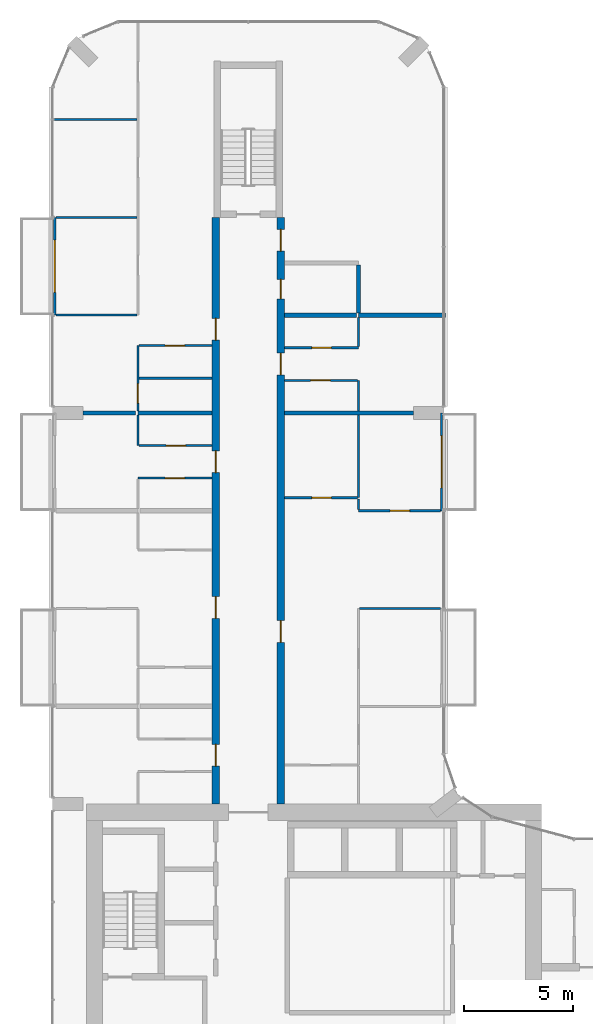
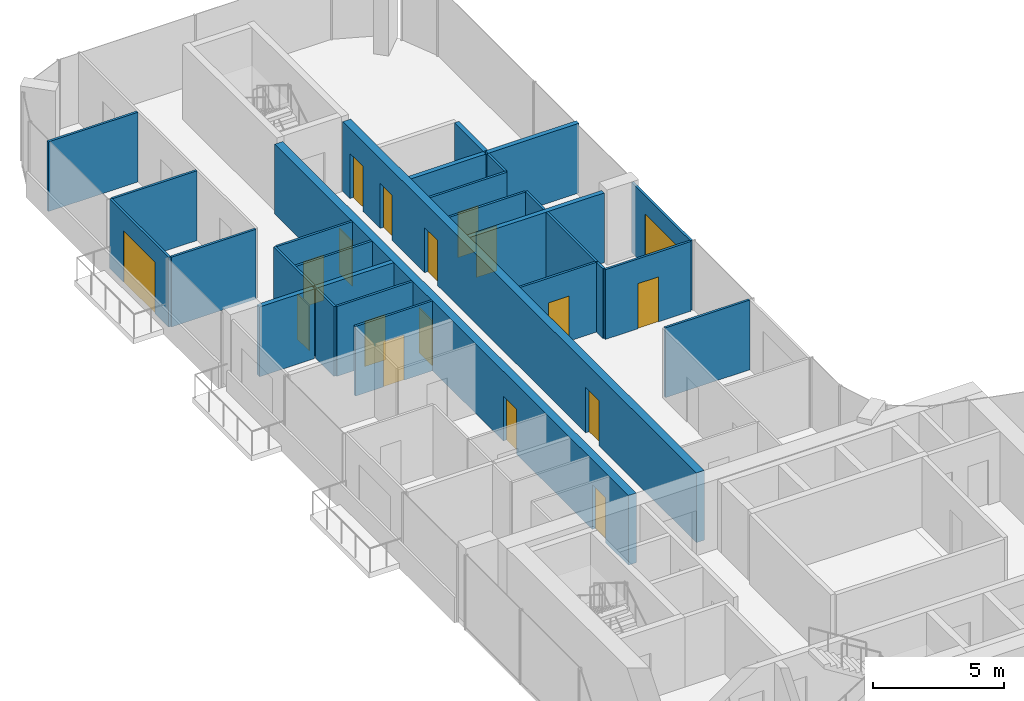
# One storey, part 16 of 23: 28 walls, 18 doors, 18 openings.
"""IFC4 building model written with IfcOpenShell, lengths in metres."""

from ifc_helpers import new_model, si_unit, direction, frame, frame_2d, origin, place, context, subcontext, project, spatial, rectangle, extrude, material, layer, layer_set, type_object, element, fill, save


model = new_model("IFC4")

# Units and contexts
model_context = context("Model", 3, precision=1e-05, world=origin(), true_north=direction((0.0, 1.0)))
body_context = subcontext(model_context, "Body", "Model", "MODEL_VIEW")
ifc_project = project(units=[si_unit("LENGTHUNIT", "METRE"), si_unit("AREAUNIT", "SQUARE_METRE"), si_unit("VOLUMEUNIT", "CUBIC_METRE"), si_unit("PLANEANGLEUNIT", "RADIAN"), si_unit("MASSUNIT", "GRAM", prefix="KILO")], contexts=[model_context])

# Site, building, storey
site_placement = place(None, origin())
site = spatial("IfcSite", under=ifc_project, at=site_placement, CompositionType="ELEMENT")
building_placement = place(site_placement, origin())
building = spatial("IfcBuilding", under=site, at=building_placement, Name="Plateau Cross Towers", CompositionType="ELEMENT")
storey_placement = place(building_placement, frame((0.0, 0.0, 37.300048828125)))
storey = spatial("IfcBuildingStorey", under=building, at=storey_placement, Name="L08", CompositionType="ELEMENT", Elevation=37.300048828125)

# Wall, opening, door
ifc_material_1 = material(Name="Aluminium framed glazing", Category="aluminium")
ifc_layer_1 = layer(ifc_material_1, 0.10009765625)
ifc_layer_set_1 = layer_set([ifc_layer_1], Name="Aluminium framed glazing")
wall_type_1 = type_object("IfcWallType", Name="Balcony screen wall 100", PredefinedType="STANDARD", material=ifc_layer_set_1)
wall_1_placement = place(storey_placement, frame((0.10009765625, 40.5, 0.0), z_axis=(0.0, 0.0, 1.0), x_axis=(0.0, 1.0, 0.0)))
wall_1 = element("IfcWall", 1, at=wall_1_placement, inside=storey, type_object=wall_type_1, Name="Balcony screen wall A-BAL-L08-03", PredefinedType="STANDARD", context=body_context, shape_type="SweptSolid", body=[
    extrude(rectangle(XDim=4.5, YDim=0.10009765625, at=frame_2d((2.25, 0.0))), origin(), (0.0, 0.0, 1.0), 3.25),
])
opening_1_placement = place(wall_1_placement, frame((1.050048828125, 0.0, 0.0)))
opening_1 = element("IfcOpeningElement", 2, at=opening_1_placement, cuts=wall_1, Name="Opening D-B24", PredefinedType="OPENING", context=body_context, shape_type="SweptSolid", body=[
    extrude(rectangle(XDim=2.39990234375, YDim=2.39990234375, at=frame_2d((1.199951171875, 1.199951171875))), frame((0.0, 0.06005859375, 0.0), z_axis=(0.0, -1.0, 0.0), x_axis=(1.0, 0.0, 0.0)), (0.0, 0.0, 1.0), 0.1201171875),
])
ifc_material_2 = material(Name="Aluminium frame, double glazing", Category="aluminium")
door_type_1 = type_object("IfcDoorType", Name="Balcony sliding door 2400", OperationType="NOTDEFINED", PredefinedType="DOOR", material=ifc_material_2)
door_1_placement = place(opening_1_placement, origin())
door_1 = element("IfcDoor", 3, at=door_1_placement, inside=storey, type_object=door_type_1, Name="Balcony door A-BAL-L08-03", OperationType="SINGLE_SWING_LEFT", OverallHeight=2.39990234375, OverallWidth=2.39990234375, PredefinedType="DOOR", context=body_context, shape_type="SweptSolid", body=[
    extrude(rectangle(XDim=2.39990234375, YDim=2.39990234375, at=frame_2d((1.199951171875, 1.199951171875))), frame((0.0, 0.02490234375, 0.0), z_axis=(0.0, -1.0, 0.0), x_axis=(1.0, 0.0, 0.0)), (0.0, 0.0, 1.0), 0.050048828125),
])
fill(opening_1, door_1)

wall_2_placement = place(storey_placement, frame((17.89990234375, 36.0, 0.0), z_axis=(0.0, 0.0, 1.0), x_axis=(0.0, -1.0, 0.0)))
wall_2 = element("IfcWall", 4, at=wall_2_placement, inside=storey, type_object=wall_type_1, Name="Balcony screen wall A-BAL-L08-05", PredefinedType="STANDARD", context=body_context, shape_type="SweptSolid", body=[
    extrude(rectangle(XDim=4.5, YDim=0.10009765625, at=frame_2d((2.25, 0.0))), origin(), (0.0, 0.0, 1.0), 3.25),
])
opening_2_placement = place(wall_2_placement, frame((1.050048828125, 0.0, 0.0)))
opening_2 = element("IfcOpeningElement", 5, at=opening_2_placement, cuts=wall_2, Name="Opening D-B24", PredefinedType="OPENING", context=body_context, shape_type="SweptSolid", body=[
    extrude(rectangle(XDim=2.39990234375, YDim=2.39990234375, at=frame_2d((1.199951171875, 1.199951171875))), frame((0.0, 0.06005859375, 0.0), z_axis=(0.0, -1.0, 0.0), x_axis=(1.0, 0.0, 0.0)), (0.0, 0.0, 1.0), 0.1201171875),
])
door_2_placement = place(opening_2_placement, origin())
door_2 = element("IfcDoor", 6, at=door_2_placement, inside=storey, type_object=door_type_1, Name="Balcony door A-BAL-L08-05", OperationType="SINGLE_SWING_LEFT", OverallHeight=2.39990234375, OverallWidth=2.39990234375, PredefinedType="DOOR", context=body_context, shape_type="SweptSolid", body=[
    extrude(rectangle(XDim=2.39990234375, YDim=2.39990234375, at=frame_2d((1.199951171875, 1.199951171875))), frame((0.0, 0.02490234375, 0.0), z_axis=(0.0, -1.0, 0.0), x_axis=(1.0, 0.0, 0.0)), (0.0, 0.0, 1.0), 0.050048828125),
])
fill(opening_2, door_2)

# Wall, openings, doors
ifc_material_3 = material(Name="Concrete C60/75", Category="concrete")
ifc_layer_2 = layer(ifc_material_3, 0.35009765625)
ifc_layer_set_2 = layer_set([ifc_layer_2], Name="Concrete C60/75")
wall_type_2 = type_object("IfcWallType", Name="Corridor wall 350", PredefinedType="SHEAR", material=ifc_layer_set_2)
wall_3_placement = place(storey_placement, frame((7.5, 18.0, 0.0), z_axis=(0.0, 0.0, 1.0), x_axis=(0.0, 1.0, 0.0)))
wall_3 = element("IfcWall", 7, at=wall_3_placement, inside=storey, type_object=wall_type_2, Name="A-cw-W1@L08", PredefinedType="SHEAR", context=body_context, shape_type="SweptSolid", body=[
    extrude(rectangle(XDim=27.0, YDim=0.35009765625, at=frame_2d((13.5, 0.0))), origin(), (0.0, 0.0, 1.0), 3.25),
])
opening_3_placement = place(wall_3_placement, frame((1.75, 0.0, 0.0)))
opening_3 = element("IfcOpeningElement", 8, at=opening_3_placement, cuts=wall_3, Name="Opening 08-09", PredefinedType="OPENING", context=body_context, shape_type="SweptSolid", body=[
    extrude(rectangle(XDim=1.0, YDim=2.10009765625, at=frame_2d((0.5, 1.050048828125))), frame((0.0, 0.18505859375, 0.0), z_axis=(0.0, -1.0, 0.0), x_axis=(1.0, 0.0, 0.0)), (0.0, 0.0, 1.0), 0.3701171875),
])
opening_4_placement = place(wall_3_placement, frame((8.550048828125, 0.0, 0.0)))
opening_4 = element("IfcOpeningElement", 9, at=opening_4_placement, cuts=wall_3, Name="Opening 08-10", PredefinedType="OPENING", context=body_context, shape_type="SweptSolid", body=[
    extrude(rectangle(XDim=1.0, YDim=2.10009765625, at=frame_2d((0.5, 1.050048828125))), frame((0.0, 0.18505859375, 0.0), z_axis=(0.0, -1.0, 0.0), x_axis=(1.0, 0.0, 0.0)), (0.0, 0.0, 1.0), 0.3701171875),
])
opening_5_placement = place(wall_3_placement, frame((15.25, 0.0, 0.0)))
opening_5 = element("IfcOpeningElement", 10, at=opening_5_placement, cuts=wall_3, Name="Opening 08-11", PredefinedType="OPENING", context=body_context, shape_type="SweptSolid", body=[
    extrude(rectangle(XDim=1.0, YDim=2.10009765625, at=frame_2d((0.5, 1.050048828125))), frame((0.0, 0.18505859375, 0.0), z_axis=(0.0, -1.0, 0.0), x_axis=(1.0, 0.0, 0.0)), (0.0, 0.0, 1.0), 0.3701171875),
])
opening_6_placement = place(wall_3_placement, frame((21.35009765625, 0.0, 0.0)))
opening_6 = element("IfcOpeningElement", 11, at=opening_6_placement, cuts=wall_3, Name="Opening 08-12", PredefinedType="OPENING", context=body_context, shape_type="SweptSolid", body=[
    extrude(rectangle(XDim=1.0, YDim=2.10009765625, at=frame_2d((0.5, 1.050048828125))), frame((0.0, 0.18505859375, 0.0), z_axis=(0.0, -1.0, 0.0), x_axis=(1.0, 0.0, 0.0)), (0.0, 0.0, 1.0), 0.3701171875),
])
ifc_material_4 = material(Name="Timber, fire-resisting leaf", Category="wood")
door_type_2 = type_object("IfcDoorType", Name="Flat entrance door 1000", OperationType="NOTDEFINED", PredefinedType="DOOR", material=ifc_material_4)
door_3_placement = place(opening_3_placement, origin())
door_3 = element("IfcDoor", 12, at=door_3_placement, inside=storey, type_object=door_type_2, Name="Door 08-09", OperationType="SINGLE_SWING_LEFT", OverallHeight=2.10009765625, OverallWidth=1.0, PredefinedType="DOOR", context=body_context, shape_type="SweptSolid", body=[
    extrude(rectangle(XDim=1.0, YDim=2.10009765625, at=frame_2d((0.5, 1.050048828125))), frame((0.0, 0.02490234375, 0.0), z_axis=(0.0, -1.0, 0.0), x_axis=(1.0, 0.0, 0.0)), (0.0, 0.0, 1.0), 0.050048828125),
])
fill(opening_3, door_3)
door_4_placement = place(opening_4_placement, origin())
door_4 = element("IfcDoor", 13, at=door_4_placement, inside=storey, type_object=door_type_2, Name="Door 08-10", OperationType="SINGLE_SWING_LEFT", OverallHeight=2.10009765625, OverallWidth=1.0, PredefinedType="DOOR", context=body_context, shape_type="SweptSolid", body=[
    extrude(rectangle(XDim=1.0, YDim=2.10009765625, at=frame_2d((0.5, 1.050048828125))), frame((0.0, 0.02490234375, 0.0), z_axis=(0.0, -1.0, 0.0), x_axis=(1.0, 0.0, 0.0)), (0.0, 0.0, 1.0), 0.050048828125),
])
fill(opening_4, door_4)
door_5_placement = place(opening_5_placement, origin())
door_5 = element("IfcDoor", 14, at=door_5_placement, inside=storey, type_object=door_type_2, Name="Door 08-11", OperationType="SINGLE_SWING_RIGHT", OverallHeight=2.10009765625, OverallWidth=1.0, PredefinedType="DOOR", context=body_context, shape_type="SweptSolid", body=[
    extrude(rectangle(XDim=1.0, YDim=2.10009765625, at=frame_2d((0.5, 1.050048828125))), frame((0.0, 0.02490234375, 0.0), z_axis=(0.0, -1.0, 0.0), x_axis=(1.0, 0.0, 0.0)), (0.0, 0.0, 1.0), 0.050048828125),
])
fill(opening_5, door_5)
door_6_placement = place(opening_6_placement, origin())
door_6 = element("IfcDoor", 15, at=door_6_placement, inside=storey, type_object=door_type_2, Name="Door 08-12", OperationType="SINGLE_SWING_RIGHT", OverallHeight=2.10009765625, OverallWidth=1.0, PredefinedType="DOOR", context=body_context, shape_type="SweptSolid", body=[
    extrude(rectangle(XDim=1.0, YDim=2.10009765625, at=frame_2d((0.5, 1.050048828125))), frame((0.0, 0.02490234375, 0.0), z_axis=(0.0, -1.0, 0.0), x_axis=(1.0, 0.0, 0.0)), (0.0, 0.0, 1.0), 0.050048828125),
])
fill(opening_6, door_6)

wall_4_placement = place(storey_placement, frame((10.5, 18.0, 0.0), z_axis=(0.0, 0.0, 1.0), x_axis=(0.0, 1.0, 0.0)))
wall_4 = element("IfcWall", 16, at=wall_4_placement, inside=storey, type_object=wall_type_2, Name="A-cw-W2@L08", PredefinedType="SHEAR", context=body_context, shape_type="SweptSolid", body=[
    extrude(rectangle(XDim=27.0, YDim=0.35009765625, at=frame_2d((13.5, 0.0))), origin(), (0.0, 0.0, 1.0), 3.25),
])
opening_7_placement = place(wall_4_placement, frame((7.449951171875, 0.0, 0.0)))
opening_7 = element("IfcOpeningElement", 17, at=opening_7_placement, cuts=wall_4, Name="Opening 08-13", PredefinedType="OPENING", context=body_context, shape_type="SweptSolid", body=[
    extrude(rectangle(XDim=1.0, YDim=2.10009765625, at=frame_2d((0.5, 1.050048828125))), frame((0.0, 0.18505859375, 0.0), z_axis=(0.0, -1.0, 0.0), x_axis=(1.0, 0.0, 0.0)), (0.0, 0.0, 1.0), 0.3701171875),
])
opening_8_placement = place(wall_4_placement, frame((19.75, 0.0, 0.0)))
opening_8 = element("IfcOpeningElement", 18, at=opening_8_placement, cuts=wall_4, Name="Opening 08-14", PredefinedType="OPENING", context=body_context, shape_type="SweptSolid", body=[
    extrude(rectangle(XDim=1.0, YDim=2.10009765625, at=frame_2d((0.5, 1.050048828125))), frame((0.0, 0.18505859375, 0.0), z_axis=(0.0, -1.0, 0.0), x_axis=(1.0, 0.0, 0.0)), (0.0, 0.0, 1.0), 0.3701171875),
])
opening_9_placement = place(wall_4_placement, frame((23.25, 0.0, 0.0)))
opening_9 = element("IfcOpeningElement", 19, at=opening_9_placement, cuts=wall_4, Name="Opening 08-15", PredefinedType="OPENING", context=body_context, shape_type="SweptSolid", body=[
    extrude(rectangle(XDim=0.89990234375, YDim=2.10009765625, at=frame_2d((0.449951171875, 1.050048828125))), frame((0.0, 0.18505859375, 0.0), z_axis=(0.0, -1.0, 0.0), x_axis=(1.0, 0.0, 0.0)), (0.0, 0.0, 1.0), 0.3701171875),
])
opening_10_placement = place(wall_4_placement, frame((25.449951171875, 0.0, 0.0)))
opening_10 = element("IfcOpeningElement", 20, at=opening_10_placement, cuts=wall_4, Name="Opening 08-16", PredefinedType="OPENING", context=body_context, shape_type="SweptSolid", body=[
    extrude(rectangle(XDim=1.0, YDim=2.10009765625, at=frame_2d((0.5, 1.050048828125))), frame((0.0, 0.18505859375, 0.0), z_axis=(0.0, -1.0, 0.0), x_axis=(1.0, 0.0, 0.0)), (0.0, 0.0, 1.0), 0.3701171875),
])
door_7_placement = place(opening_7_placement, origin())
door_7 = element("IfcDoor", 21, at=door_7_placement, inside=storey, type_object=door_type_2, Name="Door 08-13", OperationType="SINGLE_SWING_LEFT", OverallHeight=2.10009765625, OverallWidth=1.0, PredefinedType="DOOR", context=body_context, shape_type="SweptSolid", body=[
    extrude(rectangle(XDim=1.0, YDim=2.10009765625, at=frame_2d((0.5, 1.050048828125))), frame((0.0, 0.02490234375, 0.0), z_axis=(0.0, -1.0, 0.0), x_axis=(1.0, 0.0, 0.0)), (0.0, 0.0, 1.0), 0.050048828125),
])
fill(opening_7, door_7)
door_8_placement = place(opening_8_placement, origin())
door_8 = element("IfcDoor", 22, at=door_8_placement, inside=storey, type_object=door_type_2, Name="Door 08-14", OperationType="SINGLE_SWING_RIGHT", OverallHeight=2.10009765625, OverallWidth=1.0, PredefinedType="DOOR", context=body_context, shape_type="SweptSolid", body=[
    extrude(rectangle(XDim=1.0, YDim=2.10009765625, at=frame_2d((0.5, 1.050048828125))), frame((0.0, 0.02490234375, 0.0), z_axis=(0.0, -1.0, 0.0), x_axis=(1.0, 0.0, 0.0)), (0.0, 0.0, 1.0), 0.050048828125),
])
fill(opening_8, door_8)
door_9_placement = place(opening_10_placement, origin())
door_9 = element("IfcDoor", 23, at=door_9_placement, inside=storey, type_object=door_type_2, Name="Door 08-16", OperationType="SINGLE_SWING_RIGHT", OverallHeight=2.10009765625, OverallWidth=1.0, PredefinedType="DOOR", context=body_context, shape_type="SweptSolid", body=[
    extrude(rectangle(XDim=1.0, YDim=2.10009765625, at=frame_2d((0.5, 1.050048828125))), frame((0.0, 0.02490234375, 0.0), z_axis=(0.0, -1.0, 0.0), x_axis=(1.0, 0.0, 0.0)), (0.0, 0.0, 1.0), 0.050048828125),
])
fill(opening_10, door_9)
door_type_3 = type_object("IfcDoorType", Name="Flat floor service door 900", OperationType="NOTDEFINED", PredefinedType="DOOR", material=ifc_material_4)
door_10_placement = place(opening_9_placement, origin())
door_10 = element("IfcDoor", 24, at=door_10_placement, inside=storey, type_object=door_type_3, Name="Door 08-15", OperationType="SINGLE_SWING_RIGHT", OverallHeight=2.10009765625, OverallWidth=0.89990234375, PredefinedType="DOOR", context=body_context, shape_type="SweptSolid", body=[
    extrude(rectangle(XDim=0.89990234375, YDim=2.10009765625, at=frame_2d((0.449951171875, 1.050048828125))), frame((0.0, 0.02490234375, 0.0), z_axis=(0.0, -1.0, 0.0), x_axis=(1.0, 0.0, 0.0)), (0.0, 0.0, 1.0), 0.050048828125),
])
fill(opening_9, door_10)

# Wall
ifc_material_5 = material(Name="Gypsum board on steel studs", Category="steel")
ifc_layer_3 = layer(ifc_material_5, 0.10009765625)
ifc_layer_set_3 = layer_set([ifc_layer_3], Name="Gypsum board on steel studs")
wall_type_3 = type_object("IfcWallType", Name="Flat partition 100", PredefinedType="PARTITIONING", material=ifc_layer_set_3)
wall_5_placement = place(storey_placement, frame((17.85009765625, 27.0, 0.0), z_axis=(0.0, 0.0, 1.0), x_axis=(-1.0, 0.0, 0.0)))
element("IfcWall", 25, at=wall_5_placement, inside=storey, type_object=wall_type_3, Name="Partition wall", PredefinedType="PARTITIONING", context=body_context, shape_type="SweptSolid", body=[
    extrude(rectangle(XDim=3.72509765625, YDim=0.10009765625, at=frame_2d((1.862548828125, 0.0))), origin(), (0.0, 0.0, 1.0), 3.25),
])

# Wall, opening, door
wall_6_placement = place(storey_placement, frame((14.074951171875, 31.5, 0.0), z_axis=(0.0, 0.0, 1.0), x_axis=(1.0, 0.0, 0.0)))
wall_6 = element("IfcWall", 26, at=wall_6_placement, inside=storey, type_object=wall_type_3, Name="Partition wall", PredefinedType="PARTITIONING", context=body_context, shape_type="SweptSolid", body=[
    extrude(rectangle(XDim=3.775146484375, YDim=0.10009765625, at=frame_2d((1.8876953125, 0.0))), origin(), (0.0, 0.0, 1.0), 3.25),
])
opening_11_placement = place(wall_6_placement, frame((1.449951171875, 0.0, 0.0)))
opening_11 = element("IfcOpeningElement", 27, at=opening_11_placement, cuts=wall_6, Name="Opening 08-48", PredefinedType="OPENING", context=body_context, shape_type="SweptSolid", body=[
    extrude(rectangle(XDim=0.89990234375, YDim=2.10009765625, at=frame_2d((0.449951171875, 1.050048828125))), frame((0.0, 0.06005859375, 0.0), z_axis=(0.0, -1.0, 0.0), x_axis=(1.0, 0.0, 0.0)), (0.0, 0.0, 1.0), 0.1201171875),
])
ifc_material_6 = material(Name="Timber leaf", Category="wood")
door_type_4 = type_object("IfcDoorType", Name="Flat room door 900", OperationType="NOTDEFINED", PredefinedType="DOOR", material=ifc_material_6)
door_11_placement = place(opening_11_placement, origin())
door_11 = element("IfcDoor", 28, at=door_11_placement, inside=storey, type_object=door_type_4, Name="Door 08-48", OperationType="SINGLE_SWING_RIGHT", OverallHeight=2.10009765625, OverallWidth=0.89990234375, PredefinedType="DOOR", context=body_context, shape_type="SweptSolid", body=[
    extrude(rectangle(XDim=0.89990234375, YDim=2.10009765625, at=frame_2d((0.449951171875, 1.050048828125))), frame((0.0, 0.02490234375, 0.0), z_axis=(0.0, -1.0, 0.0), x_axis=(1.0, 0.0, 0.0)), (0.0, 0.0, 1.0), 0.050048828125),
])
fill(opening_11, door_11)

wall_7_placement = place(storey_placement, frame((10.675048828125, 32.10009765625, 0.0), z_axis=(0.0, 0.0, 1.0), x_axis=(1.0, 0.0, 0.0)))
wall_7 = element("IfcWall", 29, at=wall_7_placement, inside=storey, type_object=wall_type_3, Name="Partition wall", PredefinedType="PARTITIONING", context=body_context, shape_type="SweptSolid", body=[
    extrude(rectangle(XDim=3.349853515625, YDim=0.10009765625, at=frame_2d((1.6748046875, 0.0))), origin(), (0.0, 0.0, 1.0), 3.25),
])
opening_12_placement = place(wall_7_placement, frame((1.25, 0.0, 0.0)))
opening_12 = element("IfcOpeningElement", 30, at=opening_12_placement, cuts=wall_7, Name="Opening 08-45", PredefinedType="OPENING", context=body_context, shape_type="SweptSolid", body=[
    extrude(rectangle(XDim=0.89990234375, YDim=2.10009765625, at=frame_2d((0.449951171875, 1.050048828125))), frame((0.0, 0.06005859375, 0.0), z_axis=(0.0, -1.0, 0.0), x_axis=(1.0, 0.0, 0.0)), (0.0, 0.0, 1.0), 0.1201171875),
])
door_12_placement = place(opening_12_placement, origin())
door_12 = element("IfcDoor", 31, at=door_12_placement, inside=storey, type_object=door_type_4, Name="Door 08-45", OperationType="SINGLE_SWING_RIGHT", OverallHeight=2.10009765625, OverallWidth=0.89990234375, PredefinedType="DOOR", context=body_context, shape_type="SweptSolid", body=[
    extrude(rectangle(XDim=0.89990234375, YDim=2.10009765625, at=frame_2d((0.449951171875, 1.050048828125))), frame((0.0, 0.02490234375, 0.0), z_axis=(0.0, -1.0, 0.0), x_axis=(1.0, 0.0, 0.0)), (0.0, 0.0, 1.0), 0.050048828125),
])
fill(opening_12, door_12)

wall_8_placement = place(storey_placement, frame((7.324951171875, 33.0, 0.0), z_axis=(0.0, 0.0, 1.0), x_axis=(-1.0, 0.0, 0.0)))
wall_8 = element("IfcWall", 32, at=wall_8_placement, inside=storey, type_object=wall_type_3, Name="Partition wall", PredefinedType="PARTITIONING", context=body_context, shape_type="SweptSolid", body=[
    extrude(rectangle(XDim=3.39990234375, YDim=0.10009765625, at=frame_2d((1.699951171875, 0.0))), origin(), (0.0, 0.0, 1.0), 3.25),
])
opening_13_placement = place(wall_8_placement, frame((1.25, 0.0, 0.0)))
opening_13 = element("IfcOpeningElement", 33, at=opening_13_placement, cuts=wall_8, Name="Opening 08-37", PredefinedType="OPENING", context=body_context, shape_type="SweptSolid", body=[
    extrude(rectangle(XDim=0.89990234375, YDim=2.10009765625, at=frame_2d((0.449951171875, 1.050048828125))), frame((0.0, 0.06005859375, 0.0), z_axis=(0.0, -1.0, 0.0), x_axis=(1.0, 0.0, 0.0)), (0.0, 0.0, 1.0), 0.1201171875),
])
door_13_placement = place(opening_13_placement, origin())
door_13 = element("IfcDoor", 34, at=door_13_placement, inside=storey, type_object=door_type_4, Name="Door 08-37", OperationType="SINGLE_SWING_LEFT", OverallHeight=2.10009765625, OverallWidth=0.89990234375, PredefinedType="DOOR", context=body_context, shape_type="SweptSolid", body=[
    extrude(rectangle(XDim=0.89990234375, YDim=2.10009765625, at=frame_2d((0.449951171875, 1.050048828125))), frame((0.0, 0.02490234375, 0.0), z_axis=(0.0, -1.0, 0.0), x_axis=(1.0, 0.0, 0.0)), (0.0, 0.0, 1.0), 0.050048828125),
])
fill(opening_13, door_13)

wall_9_placement = place(storey_placement, frame((3.97509765625, 34.5, 0.0), z_axis=(0.0, 0.0, 1.0), x_axis=(1.0, 0.0, 0.0)))
wall_9 = element("IfcWall", 35, at=wall_9_placement, inside=storey, type_object=wall_type_3, Name="Partition wall", PredefinedType="PARTITIONING", context=body_context, shape_type="SweptSolid", body=[
    extrude(rectangle(XDim=3.349853515625, YDim=0.10009765625, at=frame_2d((1.6748046875, 0.0))), origin(), (0.0, 0.0, 1.0), 3.25),
])
opening_14_placement = place(wall_9_placement, frame((1.25, 0.0, 0.0)))
opening_14 = element("IfcOpeningElement", 36, at=opening_14_placement, cuts=wall_9, Name="Opening 08-38", PredefinedType="OPENING", context=body_context, shape_type="SweptSolid", body=[
    extrude(rectangle(XDim=0.89990234375, YDim=2.10009765625, at=frame_2d((0.449951171875, 1.050048828125))), frame((0.0, 0.06005859375, 0.0), z_axis=(0.0, -1.0, 0.0), x_axis=(1.0, 0.0, 0.0)), (0.0, 0.0, 1.0), 0.1201171875),
])
door_14_placement = place(opening_14_placement, origin())
door_14 = element("IfcDoor", 37, at=door_14_placement, inside=storey, type_object=door_type_4, Name="Door 08-38", OperationType="SINGLE_SWING_RIGHT", OverallHeight=2.10009765625, OverallWidth=0.89990234375, PredefinedType="DOOR", context=body_context, shape_type="SweptSolid", body=[
    extrude(rectangle(XDim=0.89990234375, YDim=2.10009765625, at=frame_2d((0.449951171875, 1.050048828125))), frame((0.0, 0.02490234375, 0.0), z_axis=(0.0, -1.0, 0.0), x_axis=(1.0, 0.0, 0.0)), (0.0, 0.0, 1.0), 0.050048828125),
])
fill(opening_14, door_14)

wall_10_placement = place(storey_placement, frame((14.02490234375, 37.5, 0.0), z_axis=(0.0, 0.0, 1.0), x_axis=(-1.0, 0.0, 0.0)))
wall_10 = element("IfcWall", 38, at=wall_10_placement, inside=storey, type_object=wall_type_3, Name="Partition wall", PredefinedType="PARTITIONING", context=body_context, shape_type="SweptSolid", body=[
    extrude(rectangle(XDim=3.349853515625, YDim=0.10009765625, at=frame_2d((1.6748046875, 0.0))), origin(), (0.0, 0.0, 1.0), 3.25),
])
opening_15_placement = place(wall_10_placement, frame((1.25, 0.0, 0.0)))
opening_15 = element("IfcOpeningElement", 39, at=opening_15_placement, cuts=wall_10, Name="Opening 08-49", PredefinedType="OPENING", context=body_context, shape_type="SweptSolid", body=[
    extrude(rectangle(XDim=0.89990234375, YDim=2.10009765625, at=frame_2d((0.449951171875, 1.050048828125))), frame((0.0, 0.06005859375, 0.0), z_axis=(0.0, -1.0, 0.0), x_axis=(1.0, 0.0, 0.0)), (0.0, 0.0, 1.0), 0.1201171875),
])
door_15_placement = place(opening_15_placement, origin())
door_15 = element("IfcDoor", 40, at=door_15_placement, inside=storey, type_object=door_type_4, Name="Door 08-49", OperationType="SINGLE_SWING_RIGHT", OverallHeight=2.10009765625, OverallWidth=0.89990234375, PredefinedType="DOOR", context=body_context, shape_type="SweptSolid", body=[
    extrude(rectangle(XDim=0.89990234375, YDim=2.10009765625, at=frame_2d((0.449951171875, 1.050048828125))), frame((0.0, 0.02490234375, 0.0), z_axis=(0.0, -1.0, 0.0), x_axis=(1.0, 0.0, 0.0)), (0.0, 0.0, 1.0), 0.050048828125),
])
fill(opening_15, door_15)

# Wall
wall_11_placement = place(storey_placement, frame((7.324951171875, 37.60009765625, 0.0), z_axis=(0.0, 0.0, 1.0), x_axis=(-1.0, 0.0, 0.0)))
element("IfcWall", 41, at=wall_11_placement, inside=storey, type_object=wall_type_3, Name="Partition wall", PredefinedType="PARTITIONING", context=body_context, shape_type="SweptSolid", body=[
    extrude(rectangle(XDim=3.349853515625, YDim=0.10009765625, at=frame_2d((1.6748046875, 0.0))), origin(), (0.0, 0.0, 1.0), 3.25),
])

# Wall, opening, door
wall_12_placement = place(storey_placement, frame((10.675048828125, 39.0, 0.0), z_axis=(0.0, 0.0, 1.0), x_axis=(1.0, 0.0, 0.0)))
wall_12 = element("IfcWall", 42, at=wall_12_placement, inside=storey, type_object=wall_type_3, Name="Partition wall", PredefinedType="PARTITIONING", context=body_context, shape_type="SweptSolid", body=[
    extrude(rectangle(XDim=3.39990234375, YDim=0.10009765625, at=frame_2d((1.699951171875, 0.0))), origin(), (0.0, 0.0, 1.0), 3.25),
])
opening_16_placement = place(wall_12_placement, frame((1.25, 0.0, 0.0)))
opening_16 = element("IfcOpeningElement", 43, at=opening_16_placement, cuts=wall_12, Name="Opening 08-50", PredefinedType="OPENING", context=body_context, shape_type="SweptSolid", body=[
    extrude(rectangle(XDim=0.89990234375, YDim=2.10009765625, at=frame_2d((0.449951171875, 1.050048828125))), frame((0.0, 0.06005859375, 0.0), z_axis=(0.0, -1.0, 0.0), x_axis=(1.0, 0.0, 0.0)), (0.0, 0.0, 1.0), 0.1201171875),
])
door_16_placement = place(opening_16_placement, origin())
door_16 = element("IfcDoor", 44, at=door_16_placement, inside=storey, type_object=door_type_4, Name="Door 08-50", OperationType="SINGLE_SWING_RIGHT", OverallHeight=2.10009765625, OverallWidth=0.89990234375, PredefinedType="DOOR", context=body_context, shape_type="SweptSolid", body=[
    extrude(rectangle(XDim=0.89990234375, YDim=2.10009765625, at=frame_2d((0.449951171875, 1.050048828125))), frame((0.0, 0.02490234375, 0.0), z_axis=(0.0, -1.0, 0.0), x_axis=(1.0, 0.0, 0.0)), (0.0, 0.0, 1.0), 0.050048828125),
])
fill(opening_16, door_16)

wall_13_placement = place(storey_placement, frame((7.324951171875, 39.10009765625, 0.0), z_axis=(0.0, 0.0, 1.0), x_axis=(-1.0, 0.0, 0.0)))
wall_13 = element("IfcWall", 45, at=wall_13_placement, inside=storey, type_object=wall_type_3, Name="Partition wall", PredefinedType="PARTITIONING", context=body_context, shape_type="SweptSolid", body=[
    extrude(rectangle(XDim=3.349853515625, YDim=0.10009765625, at=frame_2d((1.6748046875, 0.0))), origin(), (0.0, 0.0, 1.0), 3.25),
])
opening_17_placement = place(wall_13_placement, frame((1.25, 0.0, 0.0)))
opening_17 = element("IfcOpeningElement", 46, at=opening_17_placement, cuts=wall_13, Name="Opening 08-40", PredefinedType="OPENING", context=body_context, shape_type="SweptSolid", body=[
    extrude(rectangle(XDim=0.89990234375, YDim=2.10009765625, at=frame_2d((0.449951171875, 1.050048828125))), frame((0.0, 0.06005859375, 0.0), z_axis=(0.0, -1.0, 0.0), x_axis=(1.0, 0.0, 0.0)), (0.0, 0.0, 1.0), 0.1201171875),
])
door_17_placement = place(opening_17_placement, origin())
door_17 = element("IfcDoor", 47, at=door_17_placement, inside=storey, type_object=door_type_4, Name="Door 08-40", OperationType="SINGLE_SWING_RIGHT", OverallHeight=2.10009765625, OverallWidth=0.89990234375, PredefinedType="DOOR", context=body_context, shape_type="SweptSolid", body=[
    extrude(rectangle(XDim=0.89990234375, YDim=2.10009765625, at=frame_2d((0.449951171875, 1.050048828125))), frame((0.0, 0.02490234375, 0.0), z_axis=(0.0, -1.0, 0.0), x_axis=(1.0, 0.0, 0.0)), (0.0, 0.0, 1.0), 0.050048828125),
])
fill(opening_17, door_17)

# Walls
for number, where, z_axis, x_axis, name in (
    (48, (0.14990234375, 40.5, 0.0), (0.0, 0.0, 1.0), (1.0, 0.0, 0.0), "Partition wall"),
    (49, (3.875, 45.0, 0.0), (0.0, 0.0, 1.0), (-1.0, 0.0, 0.0), "Partition wall"),
):
    element("IfcWall", number, at=place(storey_placement, frame(where, z_axis=z_axis, x_axis=x_axis)), inside=storey, type_object=wall_type_3, Name=name, PredefinedType="PARTITIONING", context=body_context, shape_type="SweptSolid", body=[
        extrude(rectangle(XDim=3.72509765625, YDim=0.10009765625, at=frame_2d((1.862548828125, 0.0))), origin(), (0.0, 0.0, 1.0), 3.25),
    ])
wall_14_placement = place(storey_placement, frame((3.875, 49.5, 0.0), z_axis=(0.0, 0.0, 1.0), x_axis=(-1.0, 0.0, 0.0)))
element("IfcWall", 50, at=wall_14_placement, inside=storey, type_object=wall_type_3, Name="Partition wall", PredefinedType="PARTITIONING", context=body_context, shape_type="SweptSolid", body=[
    extrude(rectangle(XDim=3.955078125, YDim=0.10009765625, at=frame_2d((1.9775390625, 0.0))), origin(), (0.0, 0.0, 1.0), 3.25),
])
wall_15_placement = place(storey_placement, frame((3.925048828125, 35.89990234375, 0.0), z_axis=(0.0, 0.0, 1.0), x_axis=(0.0, -1.0, 0.0)))
element("IfcWall", 51, at=wall_15_placement, inside=storey, type_object=wall_type_3, Name="Partition wall", PredefinedType="PARTITIONING", context=body_context, shape_type="SweptSolid", body=[
    extrude(rectangle(XDim=1.39990234375, YDim=0.10009765625, at=frame_2d((0.699951171875, 0.0))), origin(), (0.0, 0.0, 1.0), 3.25),
])

# Wall, opening, door
wall_16_placement = place(storey_placement, frame((3.925048828125, 39.10009765625, 0.0), z_axis=(0.0, 0.0, 1.0), x_axis=(0.0, -1.0, 0.0)))
wall_16 = element("IfcWall", 52, at=wall_16_placement, inside=storey, type_object=wall_type_3, Name="Partition wall", PredefinedType="PARTITIONING", context=body_context, shape_type="SweptSolid", body=[
    extrude(rectangle(XDim=3.0, YDim=0.10009765625, at=frame_2d((1.5, 0.0))), origin(), (0.0, 0.0, 1.0), 3.25),
])
opening_18_placement = place(wall_16_placement, frame((1.75, 0.0, 0.0)))
opening_18 = element("IfcOpeningElement", 53, at=opening_18_placement, cuts=wall_16, Name="Opening 08-39", PredefinedType="OPENING", context=body_context, shape_type="SweptSolid", body=[
    extrude(rectangle(XDim=0.89990234375, YDim=2.10009765625, at=frame_2d((0.449951171875, 1.050048828125))), frame((0.0, 0.06005859375, 0.0), z_axis=(0.0, -1.0, 0.0), x_axis=(1.0, 0.0, 0.0)), (0.0, 0.0, 1.0), 0.1201171875),
])
door_18_placement = place(opening_18_placement, origin())
door_18 = element("IfcDoor", 54, at=door_18_placement, inside=storey, type_object=door_type_4, Name="Door 08-39", OperationType="SINGLE_SWING_RIGHT", OverallHeight=2.10009765625, OverallWidth=0.89990234375, PredefinedType="DOOR", context=body_context, shape_type="SweptSolid", body=[
    extrude(rectangle(XDim=0.89990234375, YDim=2.10009765625, at=frame_2d((0.449951171875, 1.050048828125))), frame((0.0, 0.02490234375, 0.0), z_axis=(0.0, -1.0, 0.0), x_axis=(1.0, 0.0, 0.0)), (0.0, 0.0, 1.0), 0.050048828125),
])
fill(opening_18, door_18)

# Walls
wall_17_placement = place(storey_placement, frame((14.074951171875, 32.050048828125, 0.0), z_axis=(0.0, 0.0, 1.0), x_axis=(0.0, -1.0, 0.0)))
element("IfcWall", 55, at=wall_17_placement, inside=storey, type_object=wall_type_3, Name="Partition wall", PredefinedType="PARTITIONING", context=body_context, shape_type="SweptSolid", body=[
    extrude(rectangle(XDim=0.5, YDim=0.10009765625, at=frame_2d((0.25, 0.0))), origin(), (0.0, 0.0, 1.0), 3.25),
])
wall_18_placement = place(storey_placement, frame((14.074951171875, 32.10009765625, 0.0), z_axis=(0.0, 0.0, 1.0), x_axis=(0.0, 1.0, 0.0)))
element("IfcWall", 56, at=wall_18_placement, inside=storey, type_object=wall_type_3, Name="Partition wall", PredefinedType="PARTITIONING", context=body_context, shape_type="SweptSolid", body=[
    extrude(rectangle(XDim=3.7998046875, YDim=0.10009765625, at=frame_2d((1.89990234375, 0.0))), origin(), (0.0, 0.0, 1.0), 3.25),
])
wall_19_placement = place(storey_placement, frame((14.074951171875, 36.10009765625, 0.0), z_axis=(0.0, 0.0, 1.0), x_axis=(0.0, 1.0, 0.0)))
element("IfcWall", 57, at=wall_19_placement, inside=storey, type_object=wall_type_3, Name="Partition wall", PredefinedType="PARTITIONING", context=body_context, shape_type="SweptSolid", body=[
    extrude(rectangle(XDim=1.39990234375, YDim=0.10009765625, at=frame_2d((0.699951171875, 0.0))), origin(), (0.0, 0.0, 1.0), 3.25),
])
wall_20_placement = place(storey_placement, frame((14.074951171875, 39.050048828125, 0.0), z_axis=(0.0, 0.0, 1.0), x_axis=(0.0, 1.0, 0.0)))
element("IfcWall", 58, at=wall_20_placement, inside=storey, type_object=wall_type_3, Name="Partition wall", PredefinedType="PARTITIONING", context=body_context, shape_type="SweptSolid", body=[
    extrude(rectangle(XDim=1.349853515625, YDim=0.10009765625, at=frame_2d((0.6748046875, 0.0))), origin(), (0.0, 0.0, 1.0), 3.25),
])
ifc_material_7 = material(Name="Gypsum board on steel studs, two layers each side", Category="steel")
ifc_layer_4 = layer(ifc_material_7, 0.199951171875)
ifc_layer_set_4 = layer_set([ifc_layer_4], Name="Gypsum board on steel studs, two layers each side")
wall_type_4 = type_object("IfcWallType", Name="Flat party wall 200", PredefinedType="PARTITIONING", material=ifc_layer_set_4)
wall_21_placement = place(storey_placement, frame((7.324951171875, 36.0, 0.0), z_axis=(0.0, 0.0, 1.0), x_axis=(-1.0, 0.0, 0.0)))
element("IfcWall", 59, at=wall_21_placement, inside=storey, type_object=wall_type_4, Name="Party wall", PredefinedType="PARTITIONING", context=body_context, shape_type="SweptSolid", body=[
    extrude(rectangle(XDim=3.39990234375, YDim=0.199951171875, at=frame_2d((1.699951171875, 0.0))), origin(), (0.0, 0.0, 1.0), 3.25),
])
wall_22_placement = place(storey_placement, frame((16.60009765625, 36.0, 0.0), z_axis=(0.0, 0.0, 1.0), x_axis=(-1.0, 0.0, 0.0)))
element("IfcWall", 60, at=wall_22_placement, inside=storey, type_object=wall_type_4, Name="Party wall", PredefinedType="PARTITIONING", context=body_context, shape_type="SweptSolid", body=[
    extrude(rectangle(XDim=5.925048828125, YDim=0.199951171875, at=frame_2d((2.96240234375, 0.0))), origin(), (0.0, 0.0, 1.0), 3.25),
])
wall_23_placement = place(storey_placement, frame((1.39990234375, 36.0, 0.0), z_axis=(0.0, 0.0, 1.0), x_axis=(1.0, 0.0, 0.0)))
element("IfcWall", 61, at=wall_23_placement, inside=storey, type_object=wall_type_4, Name="Party wall", PredefinedType="PARTITIONING", context=body_context, shape_type="SweptSolid", body=[
    extrude(rectangle(XDim=2.425048828125, YDim=0.199951171875, at=frame_2d((1.21240234375, 0.0))), origin(), (0.0, 0.0, 1.0), 3.25),
])
wall_24_placement = place(storey_placement, frame((13.97509765625, 40.5, 0.0), z_axis=(0.0, 0.0, 1.0), x_axis=(-1.0, 0.0, 0.0)))
element("IfcWall", 62, at=wall_24_placement, inside=storey, type_object=wall_type_4, Name="Party wall", PredefinedType="PARTITIONING", context=body_context, shape_type="SweptSolid", body=[
    extrude(rectangle(XDim=3.300048828125, YDim=0.199951171875, at=frame_2d((1.64990234375, 0.0))), origin(), (0.0, 0.0, 1.0), 3.25),
])
wall_25_placement = place(storey_placement, frame((14.074951171875, 40.5, 0.0), z_axis=(0.0, 0.0, 1.0), x_axis=(1.0, 0.0, 0.0)))
element("IfcWall", 63, at=wall_25_placement, inside=storey, type_object=wall_type_4, Name="Party wall", PredefinedType="PARTITIONING", context=body_context, shape_type="SweptSolid", body=[
    extrude(rectangle(XDim=4.005126953125, YDim=0.199951171875, at=frame_2d((2.00244140625, 0.0))), origin(), (0.0, 0.0, 1.0), 3.25),
])
wall_26_placement = place(storey_placement, frame((14.074951171875, 40.60009765625, 0.0), z_axis=(0.0, 0.0, 1.0), x_axis=(0.0, 1.0, 0.0)))
element("IfcWall", 64, at=wall_26_placement, inside=storey, type_object=wall_type_4, Name="Party wall", PredefinedType="PARTITIONING", context=body_context, shape_type="SweptSolid", body=[
    extrude(rectangle(XDim=2.199951171875, YDim=0.199951171875, at=frame_2d((1.10009765625, 0.0))), origin(), (0.0, 0.0, 1.0), 3.25),
])

save(model, "model.ifc")
